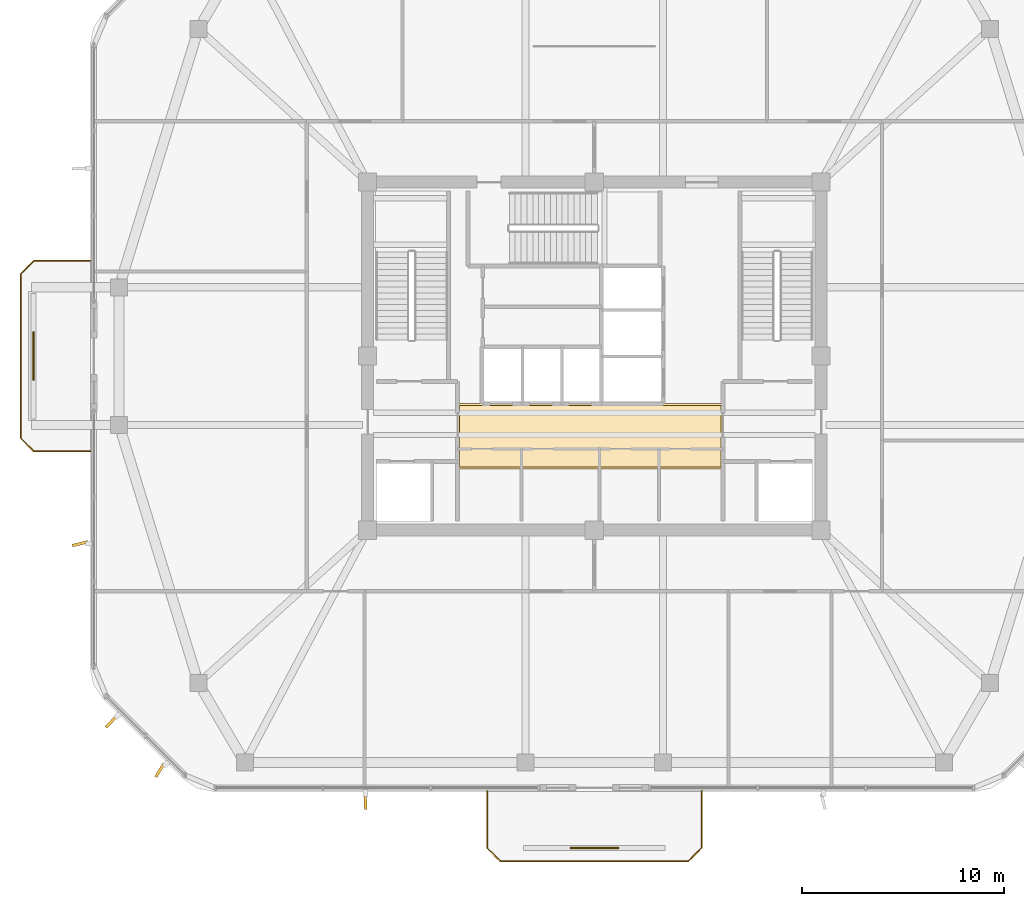
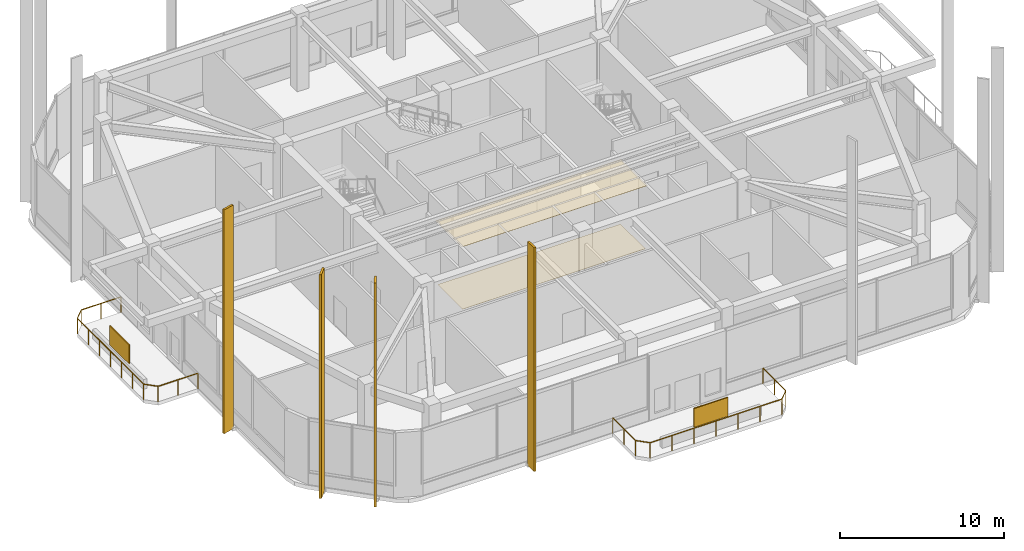
# One storey, part 11 of 14: 6 shading devices, 2 coverings, 2 railings.
"""IFC4 building model written with IfcOpenShell, lengths in metres."""

import ifcopenshell
import ifcopenshell.guid

model = None  # the IFC model being written
_history = None  # IfcOwnerHistory: only IFC2X3 demands one
_inside = {}  # id of a spatial element -> (the spatial element, [elements in it])
_under = {}  # id of a project, library or spatial element -> (it, [spatial elements below it])
_declared = {}  # id of a project -> (the project, [libraries it declares])
_typed = {}  # id of a type object -> (the type object, [elements of that type])
_made_of = {}  # id of a material, layer set ... -> (it, [elements and type objects made of it])


def new_model(schema):
    """Start an empty IFC model of exactly this schema.

    Asked for "IFC4X3", IfcOpenShell would pick the latest addendum, in which some entities
    have other attributes; the version numbers below select the first issue.
    IFC2X3 requires an IfcOwnerHistory on every rooted entity: one is made here for all.
    """
    global model, _history
    if schema == "IFC4X3":
        model = ifcopenshell.file(schema_version=(4, 3, 0, 0))
    else:
        model = ifcopenshell.file(schema=schema)
    _inside.clear()
    _under.clear()
    _declared.clear()
    _typed.clear()
    _made_of.clear()
    _history = None
    if model.schema == "IFC2X3":
        org = make("IfcOrganization", Name="unknown")
        user = make(
            "IfcPersonAndOrganization",
            ThePerson=make("IfcPerson", FamilyName="unknown"),
            TheOrganization=org,
        )
        app = make(
            "IfcApplication",
            ApplicationDeveloper=org,
            Version="unknown",
            ApplicationFullName="unknown",
            ApplicationIdentifier="unknown",
        )
        _history = make(
            "IfcOwnerHistory",
            OwningUser=user,
            OwningApplication=app,
            ChangeAction="ADDED",
            CreationDate=0,
        )
    return model


def make(cls, **values):
    """One entity of the class cls with the attributes given. An attribute that is None is left unset."""
    return model.create_entity(
        cls, **{name: value for name, value in values.items() if value is not None}
    )


def rooted(cls, **values):
    """An entity with a GlobalId (a new one), such as an element, a storey or a relation."""
    return make(cls, GlobalId=ifcopenshell.guid.new(), OwnerHistory=_history, **values)


def si_unit(unit_type, name, prefix=None):
    """IfcSIUnit, for example si_unit("LENGTHUNIT", "METRE", prefix="MILLI")."""
    return make("IfcSIUnit", UnitType=unit_type, Prefix=prefix, Name=name)


def derived_unit(unit_type, elements):
    """IfcDerivedUnit: a product of units, each with its exponent."""
    return make(
        "IfcDerivedUnit",
        Elements=[
            make("IfcDerivedUnitElement", Unit=unit, Exponent=power)
            for unit, power in elements
        ],
        UnitType=unit_type,
    )


def assignment(units):
    """IfcUnitAssignment: the units of a project."""
    return None if units is None else make("IfcUnitAssignment", Units=units)


def point(xyz):
    """IfcCartesianPoint."""
    return None if xyz is None else make("IfcCartesianPoint", Coordinates=xyz)


def direction(xyz):
    """IfcDirection."""
    return None if xyz is None else make("IfcDirection", DirectionRatios=xyz)


def frame(location, z_axis=None, x_axis=None):
    """IfcAxis2Placement3D, a coordinate frame: its origin and axes. An axis left out is left unset."""
    return make(
        "IfcAxis2Placement3D",
        Location=point(location),
        Axis=direction(z_axis),
        RefDirection=direction(x_axis),
    )


def frame_2d(location, x_axis=None):
    """IfcAxis2Placement2D, a coordinate frame in the plane: its origin and x axis."""
    return make(
        "IfcAxis2Placement2D", Location=point(location), RefDirection=direction(x_axis)
    )


def origin():
    """The frame at (0, 0, 0) with its axes left unset."""
    return frame((0.0, 0.0, 0.0))


def origin_2d():
    """The frame at (0, 0) in the plane with its x axis left unset."""
    return frame_2d((0.0, 0.0))


def place(relative_to, where):
    """IfcLocalPlacement: puts the frame where relative to a parent placement (None: the world)."""
    return make(
        "IfcLocalPlacement", PlacementRelTo=relative_to, RelativePlacement=where
    )


def context(
    kind, dimensions, precision=None, world=None, true_north=None, identifier=None
):
    """IfcGeometricRepresentationContext, for example the 3D "Model" context."""
    return make(
        "IfcGeometricRepresentationContext",
        ContextIdentifier=identifier,
        ContextType=kind,
        CoordinateSpaceDimension=dimensions,
        Precision=precision,
        WorldCoordinateSystem=world,
        TrueNorth=true_north,
    )


def subcontext(parent, identifier, kind, view, scale=None):
    """IfcGeometricRepresentationSubContext, for example "Body" below "Model"."""
    return make(
        "IfcGeometricRepresentationSubContext",
        ContextIdentifier=identifier,
        ContextType=kind,
        ParentContext=parent,
        TargetScale=scale,
        TargetView=view,
    )


def project(units=None, contexts=None):
    """IfcProject with its units and contexts."""
    return rooted(
        "IfcProject",
        Name="project",
        RepresentationContexts=contexts,
        UnitsInContext=assignment(units),
    )


def spatial(cls, under=None, at=None, **own):
    """A site, building, storey or space (cls), placed at a placement, below another one or the project."""
    s = rooted(cls, ObjectPlacement=at, **own)
    if under is not None:
        _under.setdefault(under.id(), (under, []))[1].append(s)
    return s


def polyline(points):
    """IfcPolyline through the points."""
    return make("IfcPolyline", Points=[point(p) for p in points])


def profile(cls, at=None, kind="AREA", **sizes):
    """A parametric profile (cls). Its sizes go by their IFC names, for example OverallWidth=200.0."""
    return make(cls, ProfileType=kind, Position=at, **sizes)


def rectangle(**sizes):
    """IfcRectangleProfileDef."""
    return profile("IfcRectangleProfileDef", **sizes)


def outline(outer, holes=None, kind="AREA"):
    """IfcArbitraryClosedProfileDef: a profile drawn as a closed curve; with holes, ...WithVoids."""
    if holes is None:
        return make("IfcArbitraryClosedProfileDef", ProfileType=kind, OuterCurve=outer)
    return make(
        "IfcArbitraryProfileDefWithVoids",
        ProfileType=kind,
        OuterCurve=outer,
        InnerCurves=holes,
    )


def extrude(swept, where, along, depth):
    """IfcExtrudedAreaSolid: the profile swept, set in the frame where, extruded along a direction by depth."""
    return make(
        "IfcExtrudedAreaSolid",
        SweptArea=swept,
        Position=where,
        ExtrudedDirection=direction(along),
        Depth=depth,
    )


def shape(context_of_items, identifier, shape_type, items):
    """IfcShapeRepresentation: the items that make up one representation, for example the "Body"."""
    return make(
        "IfcShapeRepresentation",
        ContextOfItems=context_of_items,
        RepresentationIdentifier=identifier,
        RepresentationType=shape_type,
        Items=items,
    )


def material(Name=None, Category=None):
    """IfcMaterial."""
    return make("IfcMaterial", Name=Name, Category=Category)


def layer(
    of_material, thickness, ventilated=None, Name=None, Category=None, Priority=None
):
    """IfcMaterialLayer: one layer of a wall or slab, of a material (None: an air gap)."""
    return make(
        "IfcMaterialLayer",
        Material=of_material,
        LayerThickness=thickness,
        IsVentilated=ventilated,
        Name=Name,
        Category=Category,
        Priority=Priority,
    )


def layer_set(layers, Name=None):
    """IfcMaterialLayerSet."""
    return make("IfcMaterialLayerSet", MaterialLayers=layers, LayerSetName=Name)


def made_of(thing, what):
    """Note that an element or type object is made of a material, layer set ...; save() writes the relation."""
    if what is not None:
        _made_of.setdefault(what.id(), (what, []))[1].append(thing)
    return thing


def type_object(cls, material=None, **own):
    """A type object (cls), such as IfcWallType, which elements share."""
    return made_of(rooted(cls, **own), material)


def element(
    cls,
    number,
    at=None,
    inside=None,
    cuts=None,
    type_object=None,
    material=None,
    context=None,
    identifier="Body",
    shape_type=None,
    held_by="IfcProductDefinitionShape",
    body=None,
    shapes=None,
    **own,
):
    """One element of the class cls, such as IfcWall. Its Tag is "e" and its number.

    at: its placement. inside: the storey or other place that contains it. cuts: it is an
    opening in that element (IfcRelVoidsElement). A single representation is given by context,
    identifier, shape_type and body (its items); several are given by shapes. held_by: the class
    of the entity that holds the representations. save() writes the other relations.
    """
    e = rooted(cls, Tag="e%d" % number, ObjectPlacement=at, **own)
    if body is not None:
        shapes = [shape(context, identifier, shape_type, body)]
    if shapes is not None:
        e.Representation = make(held_by, Representations=shapes)
    if inside is not None:
        _inside.setdefault(inside.id(), (inside, []))[1].append(e)
    if cuts is not None:
        rooted(
            "IfcRelVoidsElement", RelatingBuildingElement=cuts, RelatedOpeningElement=e
        )
    if type_object is not None:
        _typed.setdefault(type_object.id(), (type_object, []))[1].append(e)
    return made_of(e, material)


def aggregate(whole, parts):
    """IfcRelAggregates: a whole, such as a stair, and the parts it consists of."""
    return rooted("IfcRelAggregates", RelatingObject=whole, RelatedObjects=parts)


def save(model, path):
    """Write the relations noted so far, then the file.

    IfcRelAggregates (storeys below a building ...), IfcRelContainedInSpatialStructure (elements
    in a storey), IfcRelDefinesByType, IfcRelAssociatesMaterial and IfcRelDeclares: one each for
    every whole, place, type object, material and project.
    """
    for whole, parts in _under.values():
        aggregate(whole, parts)
    for where, things in _inside.values():
        rooted(
            "IfcRelContainedInSpatialStructure",
            RelatedElements=things,
            RelatingStructure=where,
        )
    for kind, things in _typed.values():
        rooted("IfcRelDefinesByType", RelatedObjects=things, RelatingType=kind)
    for what, things in _made_of.values():
        rooted("IfcRelAssociatesMaterial", RelatedObjects=things, RelatingMaterial=what)
    for by, libraries in _declared.values():
        rooted("IfcRelDeclares", RelatingContext=by, RelatedDefinitions=libraries)
    model.write(path)


model = new_model("IFC4")

# Units and contexts
model_context = context("Model", 3, precision=1e-05, world=origin(), true_north=direction((0.0, 1.0)))
body_context = subcontext(model_context, "Body", "Model", "MODEL_VIEW")
ifc_project = project(units=[si_unit("LENGTHUNIT", "METRE"), si_unit("AREAUNIT", "SQUARE_METRE"), si_unit("VOLUMEUNIT", "CUBIC_METRE"), si_unit("PLANEANGLEUNIT", "RADIAN"), si_unit("MASSUNIT", "GRAM", prefix="KILO"), derived_unit("THERMALTRANSMITTANCEUNIT", [(si_unit("POWERUNIT", "WATT"), 1), (si_unit("LENGTHUNIT", "METRE"), -2), (si_unit("THERMODYNAMICTEMPERATUREUNIT", "KELVIN"), -1)])], contexts=[model_context])

# Site, building, storey
site_placement = place(None, origin())
site = spatial("IfcSite", under=ifc_project, at=site_placement, CompositionType="ELEMENT")
building_placement = place(site_placement, origin())
building = spatial("IfcBuilding", under=site, at=building_placement, Name="Koralith Skygarden Medical Center", CompositionType="ELEMENT")
storey_placement = place(building_placement, frame((0.0, 0.0, 237.06005859375)))
storey = spatial("IfcBuildingStorey", under=building, at=storey_placement, Name="L61", CompositionType="ELEMENT", Elevation=237.06005859375)

# Covering
ifc_material_1 = material(Name="Acoustic Mineral Tile")
ifc_layer_1 = layer(ifc_material_1, 0.02001953125)
ifc_layer_set_1 = layer_set([ifc_layer_1], Name="Acoustic Mineral Tile")
covering_type_1 = type_object("IfcCoveringType", Name="Acoustic Hygienic Mineral Ceiling 20", PredefinedType="CEILING", material=ifc_layer_set_1)
covering_1_placement = place(storey_placement, frame((0.0, 0.0, 4.744873046875)))
element("IfcCovering", 1, at=covering_1_placement, inside=storey, type_object=covering_type_1, Name="L61 Core Lobby Acoustic Ceiling", PredefinedType="CEILING", context=body_context, shape_type="SweptSolid", body=[
    extrude(outline(polyline([(30.25, 20.320068359375), (43.35009765625, 20.320068359375), (43.35009765625, 23.56005859375), (30.25, 23.56005859375), (30.25, 20.320068359375)])), origin(), (0.0, 0.0, 1.0), 0.02001953125),
])

# Shading devices
ifc_material_2 = material(Name="Aluminium 6063-T6", Category="aluminium")
shading_device_type_1 = type_object("IfcShadingDeviceType", Name="Limestone-Clad Solar Storm Fin 780", PredefinedType="USERDEFINED", material=ifc_material_2)
for number, where, z_axis, x_axis, name in (
    (2, (25.68994140625, 3.889892578125, -0.199951171875), (0.0, 0.0, 1.0), (0.037829709434, -0.999284200358, 0.0), "L61 S Harmonic Solar Storm Fin 1"),
    (3, (11.590087890625, 16.6298828125, -0.199951171875), (0.0, 0.0, 1.0), (-0.970996733432, -0.239092751175, 0.0), "L61 W Harmonic Solar Storm Fin 2"),
    (4, (13.139892578125, 7.837890625, -0.199951171875), (0.0, 0.0, 1.0), (-0.679850990334, -0.733350278476, 0.0), "L61 SW Harmonic Solar Storm Fin 1"),
    (5, (15.5380859375, 5.43994140625, -0.199951171875), (0.0, 0.0, 1.0), (-0.517534269031, -0.855662480408, 0.0), "L61 SW Harmonic Solar Storm Fin 2"),
):
    element("IfcShadingDevice", number, at=place(storey_placement, frame(where, z_axis=z_axis, x_axis=x_axis)), inside=storey, type_object=shading_device_type_1, Name=name, ObjectType="SOLAR FIN", PredefinedType="USERDEFINED", context=body_context, shape_type="SweptSolid", body=[
        extrude(rectangle(XDim=0.780029296875, YDim=0.139892578125, at=origin_2d()), origin(), (0.0, 0.0, 1.0), 16.7099609375),
    ])

# Railings
ifc_material_3 = material(Name="Steel ASTM A500 Grade C", Category="steel")
railing_type = type_object("IfcRailingType", Name="Outdoor Terrace & Balcony Safety Guardrail 1180", PredefinedType="GUARDRAIL", material=ifc_material_3)
railing_1_placement = place(storey_placement, frame((31.699951171875, 4.39990234375, 0.0)))
element("IfcRailing", 6, at=railing_1_placement, inside=storey, type_object=railing_type, Name="L61 S Balcony Perimeter Guardrail", PredefinedType="GUARDRAIL", context=body_context, shape_type="SweptSolid", body=[
    extrude(rectangle(XDim=0.050048828125, YDim=0.050048828125, at=origin_2d()), frame((0.0, -0.001953125, 1.15478515625), z_axis=(0.0, -1.0, 0.0), x_axis=(1.0, 0.0, 0.0)), (0.0, 0.0, 1.0), 2.7958984375),
    extrude(rectangle(XDim=0.050048828125, YDim=0.050048828125, at=origin_2d()), frame((0.00146484375, -2.80126953125, 1.15478515625), z_axis=(0.707106781187, -0.707106781187, 0.0), x_axis=(0.707106781187, 0.707106781187, 0.0)), (0.0, 0.0, 1.0), 0.91552734375),
    extrude(rectangle(XDim=0.050048828125, YDim=0.050048828125, at=origin_2d()), frame((0.652099609375, -3.449951171875, 1.15478515625), z_axis=(1.0, 0.0, 0.0), x_axis=(0.0, 1.0, 0.0)), (0.0, 0.0, 1.0), 9.2958984375),
    extrude(rectangle(XDim=0.050048828125, YDim=0.050048828125, at=origin_2d()), frame((9.951416015625, -3.448486328125, 1.15478515625), z_axis=(0.707106781187, 0.707106781187, 0.0), x_axis=(-0.707106781187, 0.707106781187, 0.0)), (0.0, 0.0, 1.0), 0.91552734375),
    extrude(rectangle(XDim=0.050048828125, YDim=0.050048828125, at=origin_2d()), frame((10.60009765625, -2.7978515625, 1.15478515625), z_axis=(0.0, 1.0, 0.0), x_axis=(-1.0, 0.0, 0.0)), (0.0, 0.0, 1.0), 2.7958984375),
    extrude(rectangle(XDim=0.0419921875, YDim=0.0419921875, at=origin_2d()), origin(), (0.0, 0.0, 1.0), 1.1279296875),
    extrude(rectangle(XDim=0.0419921875, YDim=0.0419921875, at=origin_2d()), frame((0.0, -1.39990234375, 0.0)), (0.0, 0.0, 1.0), 1.1279296875),
    extrude(rectangle(XDim=0.0419921875, YDim=0.0419921875, at=origin_2d()), frame((0.0, -2.7998046875, 0.0)), (0.0, 0.0, 1.0), 1.1279296875),
    extrude(rectangle(XDim=0.0419921875, YDim=0.0419921875, at=origin_2d()), frame((0.650146484375, -3.449951171875, 0.0)), (0.0, 0.0, 1.0), 1.1279296875),
    extrude(rectangle(XDim=0.0419921875, YDim=0.0419921875, at=origin_2d()), frame((2.2001953125, -3.449951171875, 0.0)), (0.0, 0.0, 1.0), 1.1279296875),
    extrude(rectangle(XDim=0.0419921875, YDim=0.0419921875, at=origin_2d()), frame((3.75, -3.449951171875, 0.0)), (0.0, 0.0, 1.0), 1.1279296875),
    extrude(rectangle(XDim=0.0419921875, YDim=0.0419921875, at=origin_2d()), frame((5.300048828125, -3.449951171875, 0.0)), (0.0, 0.0, 1.0), 1.1279296875),
    extrude(rectangle(XDim=0.0419921875, YDim=0.0419921875, at=origin_2d()), frame((6.85009765625, -3.449951171875, 0.0)), (0.0, 0.0, 1.0), 1.1279296875),
    extrude(rectangle(XDim=0.0419921875, YDim=0.0419921875, at=origin_2d()), frame((8.39990234375, -3.449951171875, 0.0)), (0.0, 0.0, 1.0), 1.1279296875),
    extrude(rectangle(XDim=0.0419921875, YDim=0.0419921875, at=origin_2d()), frame((9.949951171875, -3.449951171875, 0.0)), (0.0, 0.0, 1.0), 1.1279296875),
    extrude(rectangle(XDim=0.0419921875, YDim=0.0419921875, at=origin_2d()), frame((10.60009765625, -2.7998046875, 0.0)), (0.0, 0.0, 1.0), 1.1279296875),
    extrude(rectangle(XDim=0.0419921875, YDim=0.0419921875, at=origin_2d()), frame((10.60009765625, -1.39990234375, 0.0)), (0.0, 0.0, 1.0), 1.1279296875),
    extrude(rectangle(XDim=0.0419921875, YDim=0.0419921875, at=origin_2d()), frame((10.60009765625, 0.0, 0.0)), (0.0, 0.0, 1.0), 1.1279296875),
])
railing_2_placement = place(storey_placement, frame((12.10009765625, 21.199951171875, 0.0)))
element("IfcRailing", 7, at=railing_2_placement, inside=storey, type_object=railing_type, Name="L61 W Balcony Perimeter Guardrail", PredefinedType="GUARDRAIL", context=body_context, shape_type="SweptSolid", body=[
    extrude(rectangle(XDim=0.050048828125, YDim=0.050048828125, at=origin_2d()), frame((-0.001953125, 0.0, 1.15478515625), z_axis=(-1.0, 0.0, 0.0), x_axis=(0.0, -1.0, 0.0)), (0.0, 0.0, 1.0), 2.796142578125),
    extrude(rectangle(XDim=0.050048828125, YDim=0.050048828125, at=origin_2d()), frame((-2.801513671875, 0.00146484375, 1.15478515625), z_axis=(-0.707106781187, 0.707106781187, 0.0), x_axis=(-0.707106781187, -0.707106781187, 0.0)), (0.0, 0.0, 1.0), 0.91552734375),
    extrude(rectangle(XDim=0.050048828125, YDim=0.050048828125, at=origin_2d()), frame((-3.4501953125, 0.652099609375, 1.15478515625), z_axis=(0.0, 1.0, 0.0), x_axis=(-1.0, 0.0, 0.0)), (0.0, 0.0, 1.0), 8.095947265625),
    extrude(rectangle(XDim=0.050048828125, YDim=0.050048828125, at=origin_2d()), frame((-3.44873046875, 8.75146484375, 1.15478515625), z_axis=(0.707106781187, 0.707106781187, 0.0), x_axis=(-0.707106781187, 0.707106781187, 0.0)), (0.0, 0.0, 1.0), 0.91552734375),
    extrude(rectangle(XDim=0.050048828125, YDim=0.050048828125, at=origin_2d()), frame((-2.798095703125, 9.400146484375, 1.15478515625), z_axis=(1.0, 0.0, 0.0), x_axis=(0.0, 1.0, 0.0)), (0.0, 0.0, 1.0), 2.796142578125),
    extrude(rectangle(XDim=0.0419921875, YDim=0.0419921875, at=origin_2d()), origin(), (0.0, 0.0, 1.0), 1.1279296875),
    extrude(rectangle(XDim=0.0419921875, YDim=0.0419921875, at=origin_2d()), frame((-1.39990234375, 0.0, 0.0)), (0.0, 0.0, 1.0), 1.1279296875),
    extrude(rectangle(XDim=0.0419921875, YDim=0.0419921875, at=origin_2d()), frame((-2.800048828125, 0.0, 0.0)), (0.0, 0.0, 1.0), 1.1279296875),
    extrude(rectangle(XDim=0.0419921875, YDim=0.0419921875, at=origin_2d()), frame((-3.4501953125, 0.650146484375, 0.0)), (0.0, 0.0, 1.0), 1.1279296875),
    extrude(rectangle(XDim=0.0419921875, YDim=0.0419921875, at=origin_2d()), frame((-3.4501953125, 2.0, 0.0)), (0.0, 0.0, 1.0), 1.1279296875),
    extrude(rectangle(XDim=0.0419921875, YDim=0.0419921875, at=origin_2d()), frame((-3.4501953125, 3.35009765625, 0.0)), (0.0, 0.0, 1.0), 1.1279296875),
    extrude(rectangle(XDim=0.0419921875, YDim=0.0419921875, at=origin_2d()), frame((-3.4501953125, 4.7001953125, 0.0)), (0.0, 0.0, 1.0), 1.1279296875),
    extrude(rectangle(XDim=0.0419921875, YDim=0.0419921875, at=origin_2d()), frame((-3.4501953125, 6.050048828125, 0.0)), (0.0, 0.0, 1.0), 1.1279296875),
    extrude(rectangle(XDim=0.0419921875, YDim=0.0419921875, at=origin_2d()), frame((-3.4501953125, 7.39990234375, 0.0)), (0.0, 0.0, 1.0), 1.1279296875),
    extrude(rectangle(XDim=0.0419921875, YDim=0.0419921875, at=origin_2d()), frame((-3.4501953125, 8.75, 0.0)), (0.0, 0.0, 1.0), 1.1279296875),
    extrude(rectangle(XDim=0.0419921875, YDim=0.0419921875, at=origin_2d()), frame((-2.800048828125, 9.400146484375, 0.0)), (0.0, 0.0, 1.0), 1.1279296875),
    extrude(rectangle(XDim=0.0419921875, YDim=0.0419921875, at=origin_2d()), frame((-1.39990234375, 9.400146484375, 0.0)), (0.0, 0.0, 1.0), 1.1279296875),
    extrude(rectangle(XDim=0.0419921875, YDim=0.0419921875, at=origin_2d()), frame((0.0, 9.400146484375, 0.0)), (0.0, 0.0, 1.0), 1.1279296875),
])

# Shading devices
ifc_layer_2 = layer(ifc_material_2, 0.080078125)
ifc_layer_set_2 = layer_set([ifc_layer_2], Name="Aluminium 6063-T6")
shading_device_type_2 = type_object("IfcShadingDeviceType", Name="Perforated Biophilic Balcony Trellis Screen", PredefinedType="USERDEFINED", material=ifc_layer_set_2)
for number, where, z_axis, x_axis, name in (
    (8, (37.0, 1.60009765625, 0.719970703125), (0.0, 0.0, 1.0), (1.0, 0.0, 0.0), "L61 S Biophilic Balcony Trellis Screen"),
    (9, (9.300048828125, 25.89990234375, 0.719970703125), (0.0, 0.0, 1.0), (0.0, 1.0, 0.0), "L61 W Biophilic Balcony Trellis Screen"),
):
    element("IfcShadingDevice", number, at=place(storey_placement, frame(where, z_axis=z_axis, x_axis=x_axis)), inside=storey, type_object=shading_device_type_2, Name=name, ObjectType="HURRICANE SCREEN", PredefinedType="USERDEFINED", context=body_context, shape_type="SweptSolid", body=[
        extrude(rectangle(XDim=2.39990234375, YDim=0.080078125, at=origin_2d()), origin(), (0.0, 0.0, 1.0), 1.39990234375),
    ])

# Covering
ifc_material_4 = material(Name="Medical Terrazzo Flooring")
ifc_layer_3 = layer(ifc_material_4, 0.014892578125)
ifc_layer_set_3 = layer_set([ifc_layer_3], Name="Medical Terrazzo Flooring")
covering_type_2 = type_object("IfcCoveringType", Name="Seamless Antimicrobial Terrazzo Flooring 15", PredefinedType="FLOORING", material=ifc_layer_set_3)
covering_2_placement = place(storey_placement, origin())
element("IfcCovering", 10, at=covering_2_placement, inside=storey, type_object=covering_type_2, Name="L61 Core Lobby Terrazzo Flooring", PredefinedType="FLOORING", context=body_context, shape_type="SweptSolid", body=[
    extrude(outline(polyline([(30.35009765625, 20.419921875), (43.25, 20.419921875), (43.25, 23.4599609375), (30.35009765625, 23.4599609375), (30.35009765625, 20.419921875)])), origin(), (0.0, 0.0, 1.0), 0.014892578125),
])

save(model, "model.ifc")
